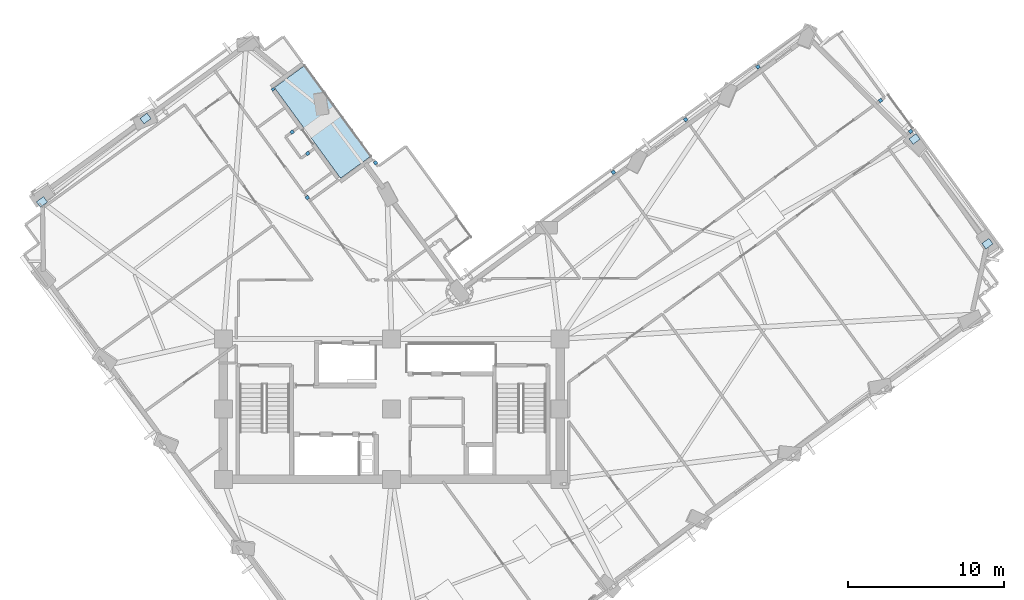
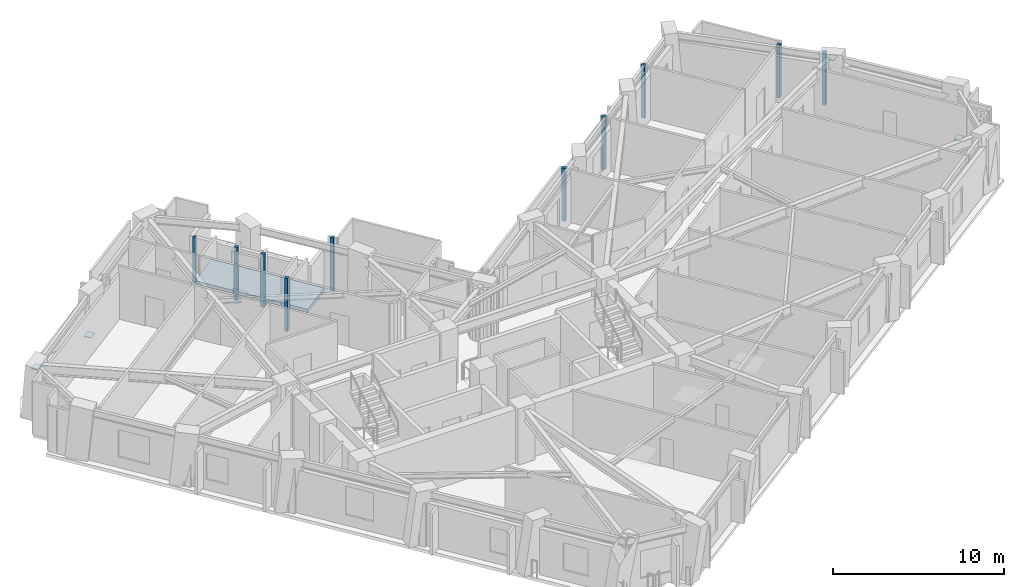
# One storey, part 4 of 14: 14 plates, 1 slab.
"""IFC4 building model written with IfcOpenShell, lengths in metres."""

from ifc_helpers import new_model, si_unit, direction, frame, origin, origin_2d, place, context, subcontext, project, spatial, polyline, rectangle, outline, extrude, material, layer, layer_set, type_object, element, save


model = new_model("IFC4")

# Units and contexts
model_context = context("Model", 3, precision=1e-05, world=origin(), true_north=direction((0.0, 1.0)))
body_context = subcontext(model_context, "Body", "Model", "MODEL_VIEW")
ifc_project = project(units=[si_unit("LENGTHUNIT", "METRE"), si_unit("AREAUNIT", "SQUARE_METRE"), si_unit("VOLUMEUNIT", "CUBIC_METRE"), si_unit("PLANEANGLEUNIT", "RADIAN"), si_unit("MASSUNIT", "GRAM", prefix="KILO")], contexts=[model_context])

# Site, building, storey
site_placement = place(None, origin())
site = spatial("IfcSite", under=ifc_project, at=site_placement, CompositionType="ELEMENT")
building_placement = place(site_placement, origin())
building = spatial("IfcBuilding", under=site, at=building_placement, Name="Gaonmaruhae Medical Tower", CompositionType="ELEMENT")
storey_placement = place(building_placement, frame((0.0, 0.0, 177.800048828125)))
storey = spatial("IfcBuildingStorey", under=building, at=storey_placement, Name="L42", CompositionType="ELEMENT", Elevation=177.800048828125)

# Plates
ifc_material_1 = material(Name="Steel HSA650 (650 MPa)", Category="steel")
ifc_layer_1 = layer(ifc_material_1, 0.028076171875)
ifc_layer_set_1 = layer_set([ifc_layer_1], Name="Steel HSA650 (650 MPa)")
plate_type_1 = type_object("IfcPlateType", Name="GP-02 Tube Brace End Cap Gusset Plate", PredefinedType="USERDEFINED", material=ifc_layer_set_1)
for number, where, z_axis, x_axis, name in (
    (1, (63.00732421875, 22.914794921875, 0.23583984375), (0.0, 0.0, 1.0), (0.807989883898, 0.589196357353, 0.0), "L42 Gusset Cap Plate PLT-L42-PBR-E01A"),
    (2, (58.3349609375, 29.627685546875, 3.51611328125), (0.0, 0.0, 1.0), (0.798110023334, 0.602511734868, 0.0), "L42 Gusset Cap Plate PLT-L42-PBR-E01B"),
    (3, (9.01025390625, 30.94091796875, 0.23583984375), (0.0, 0.0, 1.0), (0.807989883898, 0.589196357353, 0.0), "L42 Gusset Cap Plate PLT-L42-PBR-N02A"),
    (4, (2.367431640625, 25.591796875, 3.51611328125), (0.0, 0.0, 1.0), (0.798110023334, 0.602511734868, 0.0), "L42 Gusset Cap Plate PLT-L42-PBR-N02B"),
):
    element("IfcPlate", number, at=place(storey_placement, frame(where, z_axis=z_axis, x_axis=x_axis)), inside=storey, type_object=plate_type_1, Name=name, ObjectType="GUSSET_PLATE", PredefinedType="USERDEFINED", context=body_context, shape_type="SweptSolid", body=[
        extrude(rectangle(XDim=0.56005859375, YDim=0.43994140625, at=origin_2d()), origin(), (0.0, 0.0, 1.0), 0.028076171875),
    ])
ifc_material_2 = material(Name="Anodised aluminium 6063-T6", Category="aluminium")
ifc_layer_2 = layer(ifc_material_2, 0.011962890625)
ifc_layer_set_2 = layer_set([ifc_layer_2], Name="Anodised aluminium 6063-T6")
plate_type_2 = type_object("IfcPlateType", Name="PP-01 Interior Partition Corner Stiffener Plate", PredefinedType="SHEET", material=ifc_layer_set_2)
plate_placement = place(storey_placement, frame((17.1884765625, 32.8115234375, 0.0), z_axis=(0.0, 0.0, 1.0), x_axis=(0.589196357353, -0.807989883898, 0.0)))
element("IfcPlate", 5, at=plate_placement, inside=storey, type_object=plate_type_2, Name="L42 Partition End Jamb Post Plate PLT-L42-ENDP-TERB-0", PredefinedType="SHEET", context=body_context, shape_type="SweptSolid", body=[
    extrude(rectangle(XDim=0.179931640625, YDim=0.179931640625, at=origin_2d()), origin(), (0.0, 0.0, 1.0), 3.264892578125),
])
for number, where, z_axis, x_axis, name in (
    (6, (39.01904296875, 27.492431640625, 0.0), (0.0, 0.0, 1.0), (0.589266865529, -0.80793846374, 0.0), "L42 Partition Corner Stiffener Plate PLT-L42-JGP-PW080"),
    (7, (43.655029296875, 30.873046875, 0.0), (0.0, 0.0, 1.0), (0.588166427292, -0.808739917283, 0.0), "L42 Partition Corner Stiffener Plate PLT-L42-JGP-PW086"),
    (8, (48.291015625, 34.25341796875, 0.0), (0.0, 0.0, 1.0), (0.589266865529, -0.80793846374, 0.0), "L42 Partition Corner Stiffener Plate PLT-L42-JGP-PW090"),
    (9, (56.150390625, 32.097412109375, 0.0), (0.0, 0.0, 1.0), (-0.807989883898, -0.589196357353, 0.0), "L42 Partition Corner Stiffener Plate PLT-L42-JGP-PW094"),
    (10, (23.767578125, 28.1005859375, 0.0), (0.0, 0.0, 1.0), (0.590422558932, -0.807094295547, 0.0), "L42 Partition Corner Stiffener Plate PLT-L42-JGP-PW102"),
    (11, (18.4130859375, 30.075927734375, 0.0), (0.0, 0.0, 1.0), (-0.807670979742, -0.58963343569, 0.0), "L42 Partition Corner Stiffener Plate PLT-L42-JGP-PW104"),
    (12, (19.4150390625, 28.701904296875, 0.0), (0.0, 0.0, 1.0), (0.807670979742, 0.58963343569, 0.0), "L42 Partition Corner Stiffener Plate PLT-L42-JGP-PW106"),
    (13, (19.39111328125, 25.869384765625, 0.0), (0.0, 0.0, 1.0), (0.586994251094, -0.80959109999, 0.0), "L42 Partition Corner Stiffener Plate PLT-L42-JGP-PW117"),
    (14, (58.08154296875, 30.114501953125, 0.0), (0.0, 0.0, 1.0), (0.808061861782, 0.58909763837, 0.0), "L42 Partition Corner Stiffener Plate PLT-L42-JGP-PW124"),
):
    element("IfcPlate", number, at=place(storey_placement, frame(where, z_axis=z_axis, x_axis=x_axis)), inside=storey, type_object=plate_type_2, Name=name, PredefinedType="SHEET", context=body_context, shape_type="SweptSolid", body=[
        extrude(rectangle(XDim=0.219970703125, YDim=0.219970703125, at=origin_2d()), origin(), (0.0, 0.0, 1.0), 3.780029296875),
    ])

# Slab
ifc_material_3 = material(Name="Concrete C40/50", Category="concrete")
ifc_layer_3 = layer(ifc_material_3, 0.239990234375)
ifc_layer_set_3 = layer_set([ifc_layer_3], Name="Concrete C40/50")
slab_type = type_object("IfcSlabType", Name="TS-240 Sky Garden & Recovery Terrace Slab", PredefinedType="FLOOR", material=ifc_layer_set_3)
slab_placement = place(storey_placement, frame((0.0, 0.0, -0.239990234375)))
element("IfcSlab", 15, at=slab_placement, inside=storey, type_object=slab_type, Name="L42 Outdoor Recovery Terrace Slab", PredefinedType="FLOOR", context=body_context, shape_type="SweptSolid", body=[
    extrude(outline(polyline([(21.52001953125, 27.10888671875), (23.459228515625, 28.52294921875), (19.217041015625, 34.340576171875), (17.27783203125, 32.926513671875), (21.52001953125, 27.10888671875)])), origin(), (0.0, 0.0, 1.0), 0.239990234375),
])

save(model, "model.ifc")
